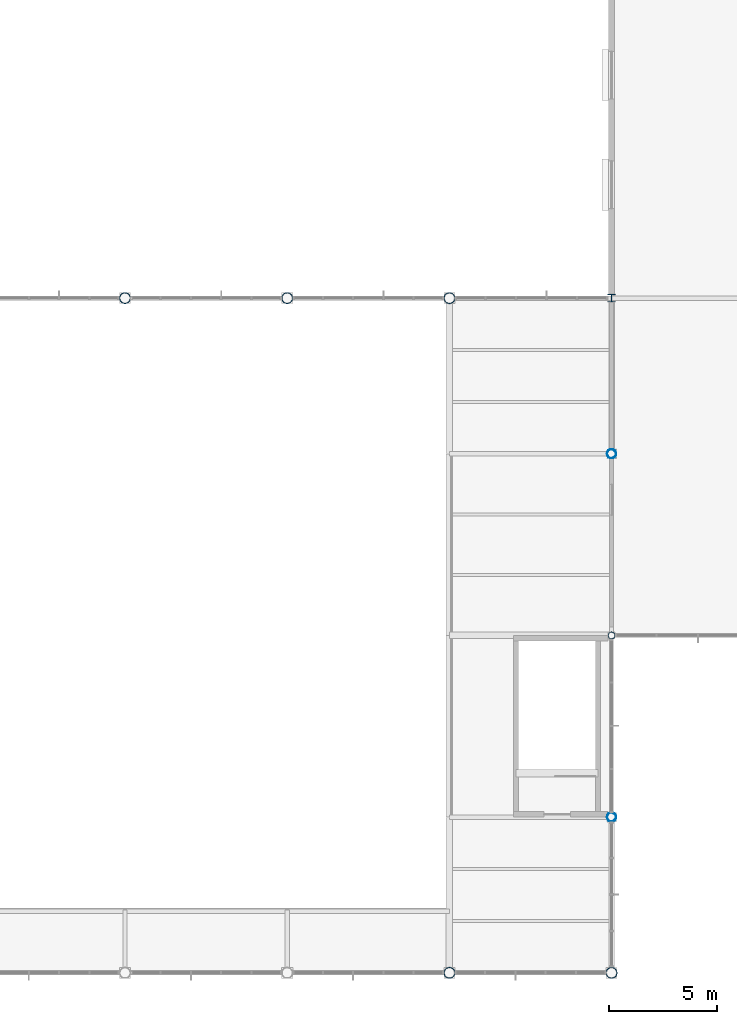
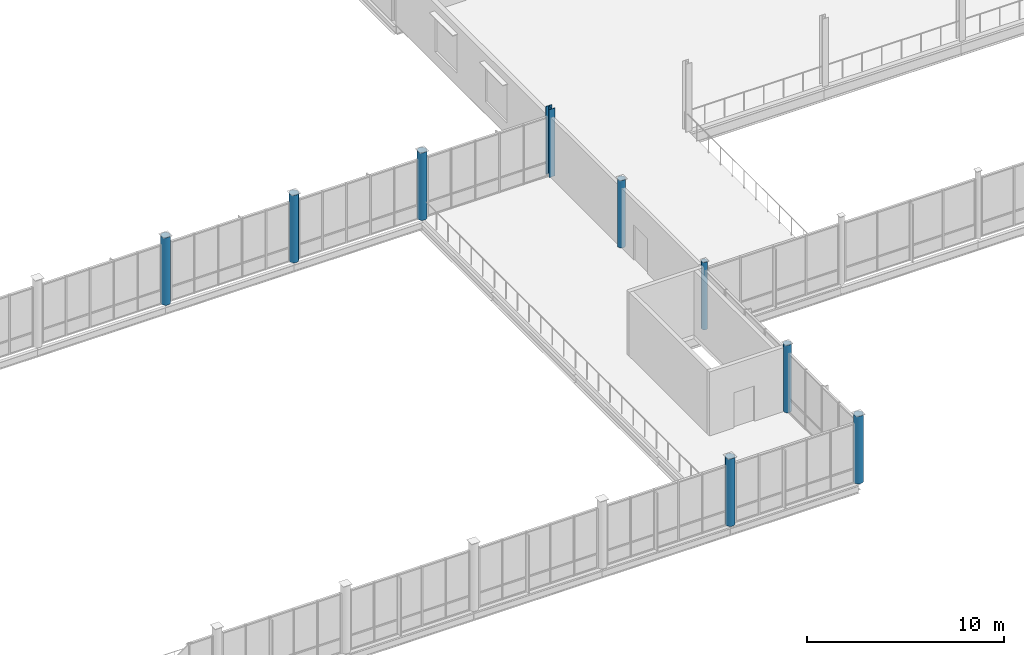
# One storey, part 2 of 75: 9 columns.
"""IFC4 building model written with IfcOpenShell, lengths in metres."""

from ifc_helpers import new_model, si_unit, direction, frame, origin, origin_2d, place, context, subcontext, project, spatial, hollow_circle, i_section, extrude, material, material_profile, profile_set, type_object, element, save


model = new_model("IFC4")

# Units and contexts
model_context = context("Model", 3, precision=1e-05, world=origin(), true_north=direction((0.0, 1.0)))
body_context = subcontext(model_context, "Body", "Model", "MODEL_VIEW")
ifc_project = project(units=[si_unit("LENGTHUNIT", "METRE"), si_unit("AREAUNIT", "SQUARE_METRE"), si_unit("VOLUMEUNIT", "CUBIC_METRE"), si_unit("PLANEANGLEUNIT", "RADIAN"), si_unit("MASSUNIT", "GRAM", prefix="KILO")], contexts=[model_context])

# Site, building, storey
site_placement = place(None, origin())
site = spatial("IfcSite", under=ifc_project, at=site_placement, CompositionType="ELEMENT")
building_placement = place(site_placement, origin())
building = spatial("IfcBuilding", under=site, at=building_placement, Name="Yukiwa Park Conservatory and Herbarium", CompositionType="ELEMENT")
storey_placement = place(building_placement, frame((0.0, 0.0, 4.800048828125)))
storey = spatial("IfcBuildingStorey", under=building, at=storey_placement, Name="L01", CompositionType="ELEMENT", Elevation=4.800048828125)

# Columns
ifc_material_1 = material(Name="Steel Q355D", Category="steel")
ifc_material_profile_1 = material_profile(ifc_material_1, hollow_circle(Radius=0.16259765625, WallThickness=0.011962890625, at=origin_2d()), Name="CHS 325x12")
ifc_profile_set_1 = profile_set([ifc_material_profile_1], Name="Steel Q355D")
column_type_1 = type_object("IfcColumnType", Name="COL-CN-CHS325-EXT", PredefinedType="COLUMN", material=ifc_profile_set_1)
column_1_placement = place(storey_placement, frame((60.0, 15.60009765625, 0.0), z_axis=(0.0, 0.0, 1.0), x_axis=(1.0, 0.0, 0.0)))
element("IfcColumn", 1, at=column_1_placement, inside=storey, type_object=column_type_1, Name="L01 column V2-X600-Y156", PredefinedType="COLUMN", context=body_context, shape_type="SweptSolid", body=[
    extrude(hollow_circle(Radius=0.16259765625, WallThickness=0.011962890625, at=origin_2d()), origin(), (0.0, 0.0, 1.0), 4.176025390625),
])
ifc_material_2 = material(Name="Steel Q355D", Category="steel")
ifc_material_profile_2 = material_profile(ifc_material_2, hollow_circle(Radius=0.212890625, WallThickness=0.013916015625, at=origin_2d()), Name="CHS 426x14")
ifc_profile_set_2 = profile_set([ifc_material_profile_2], Name="Steel Q355D")
column_type_2 = type_object("IfcColumnType", Name="COL-CV-CHS426", PredefinedType="COLUMN", material=ifc_profile_set_2)
column_2_placement = place(storey_placement, frame((60.0, 24.0, 0.0), z_axis=(0.0, 0.0, 1.0), x_axis=(1.0, 0.0, 0.0)))
element("IfcColumn", 2, at=column_2_placement, inside=storey, type_object=column_type_2, Name="L01 column V1-X600-Y240", PredefinedType="COLUMN", context=body_context, shape_type="SweptSolid", body=[
    extrude(hollow_circle(Radius=0.212890625, WallThickness=0.013916015625, at=origin_2d()), origin(), (0.0, 0.0, 1.0), 4.176025390625),
])
ifc_material_3 = material(Name="Steel Q355D", Category="steel")
ifc_material_profile_3 = material_profile(ifc_material_3, hollow_circle(Radius=0.212890625, WallThickness=0.013916015625, at=origin_2d()), Name="CHS 426x14")
ifc_profile_set_3 = profile_set([ifc_material_profile_3], Name="Steel Q355D")
column_type_3 = type_object("IfcColumnType", Name="COL-CV-CHS426-EXT", PredefinedType="COLUMN", material=ifc_profile_set_3)
column_3_placement = place(storey_placement, frame((60.0, 7.199951171875, 0.0), z_axis=(0.0, 0.0, 1.0), x_axis=(1.0, 0.0, 0.0)))
element("IfcColumn", 3, at=column_3_placement, inside=storey, type_object=column_type_3, Name="L01 column V1-X600-Y72", PredefinedType="COLUMN", context=body_context, shape_type="SweptSolid", body=[
    extrude(hollow_circle(Radius=0.212890625, WallThickness=0.013916015625, at=origin_2d()), origin(), (0.0, 0.0, 1.0), 4.176025390625),
])
ifc_material_4 = material(Name="Steel Q355D", Category="steel")
ifc_material_profile_4 = material_profile(ifc_material_4, hollow_circle(Radius=0.25390625, WallThickness=0.01611328125, at=origin_2d()), Name="CHS 508x16")
ifc_profile_set_4 = profile_set([ifc_material_profile_4], Name="Steel Q355D")
column_type_4 = type_object("IfcColumnType", Name="COL-CV-CHS508", PredefinedType="COLUMN", material=ifc_profile_set_4)
for number, where, z_axis, x_axis, name in (
    (4, (37.5, 31.199951171875, 0.0), (0.0, 0.0, 1.0), (1.0, 0.0, 0.0), "L01 column V1-X375-Y312"),
    (5, (45.0, 31.199951171875, 0.0), (0.0, 0.0, 1.0), (1.0, 0.0, 0.0), "L01 column V1-X450-Y312"),
    (6, (52.5, 0.0, 0.0), (0.0, 0.0, 1.0), (1.0, 0.0, 0.0), "L01 column V1-X525-Y0"),
    (7, (52.5, 31.199951171875, 0.0), (0.0, 0.0, 1.0), (1.0, 0.0, 0.0), "L01 column V1-X525-Y312"),
    (8, (60.0, 0.0, 0.0), (0.0, 0.0, 1.0), (1.0, 0.0, 0.0), "L01 column V1-X600-Y0"),
):
    element("IfcColumn", number, at=place(storey_placement, frame(where, z_axis=z_axis, x_axis=x_axis)), inside=storey, type_object=column_type_4, Name=name, PredefinedType="COLUMN", context=body_context, shape_type="SweptSolid", body=[
        extrude(hollow_circle(Radius=0.25390625, WallThickness=0.01611328125, at=origin_2d()), origin(), (0.0, 0.0, 1.0), 4.176025390625),
    ])
ifc_material_5 = material(Name="Steel Q355D", Category="steel")
ifc_material_profile_5 = material_profile(ifc_material_5, i_section(OverallWidth=0.35009765625, OverallDepth=0.35009765625, WebThickness=0.011962890625, FlangeThickness=0.01904296875, FilletRadius=0.02001953125, at=origin_2d()), Name="HW 350x350x12x19")
ifc_profile_set_5 = profile_set([ifc_material_profile_5], Name="Steel Q355D")
column_type_5 = type_object("IfcColumnType", Name="COL-TW-HW350", PredefinedType="COLUMN", material=ifc_profile_set_5)
column_4_placement = place(storey_placement, frame((60.0, 31.199951171875, 0.0), z_axis=(0.0, 0.0, 1.0), x_axis=(1.0, 0.0, 0.0)))
element("IfcColumn", 9, at=column_4_placement, inside=storey, type_object=column_type_5, Name="L01 column V2-X600-Y312", PredefinedType="COLUMN", context=body_context, shape_type="SweptSolid", body=[
    extrude(i_section(OverallWidth=0.35009765625, OverallDepth=0.35009765625, WebThickness=0.011962890625, FlangeThickness=0.01904296875, FilletRadius=0.02001953125, at=origin_2d()), origin(), (0.0, 0.0, 1.0), 4.199951171875),
])

save(model, "model.ifc")
